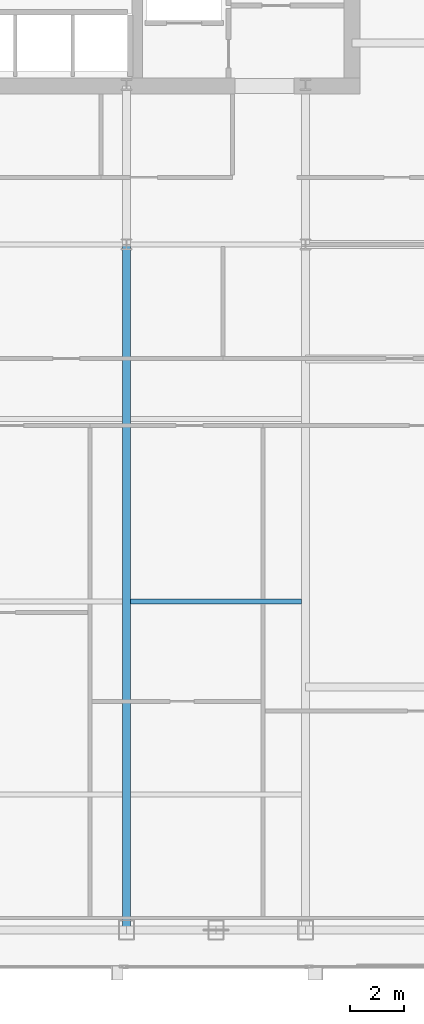
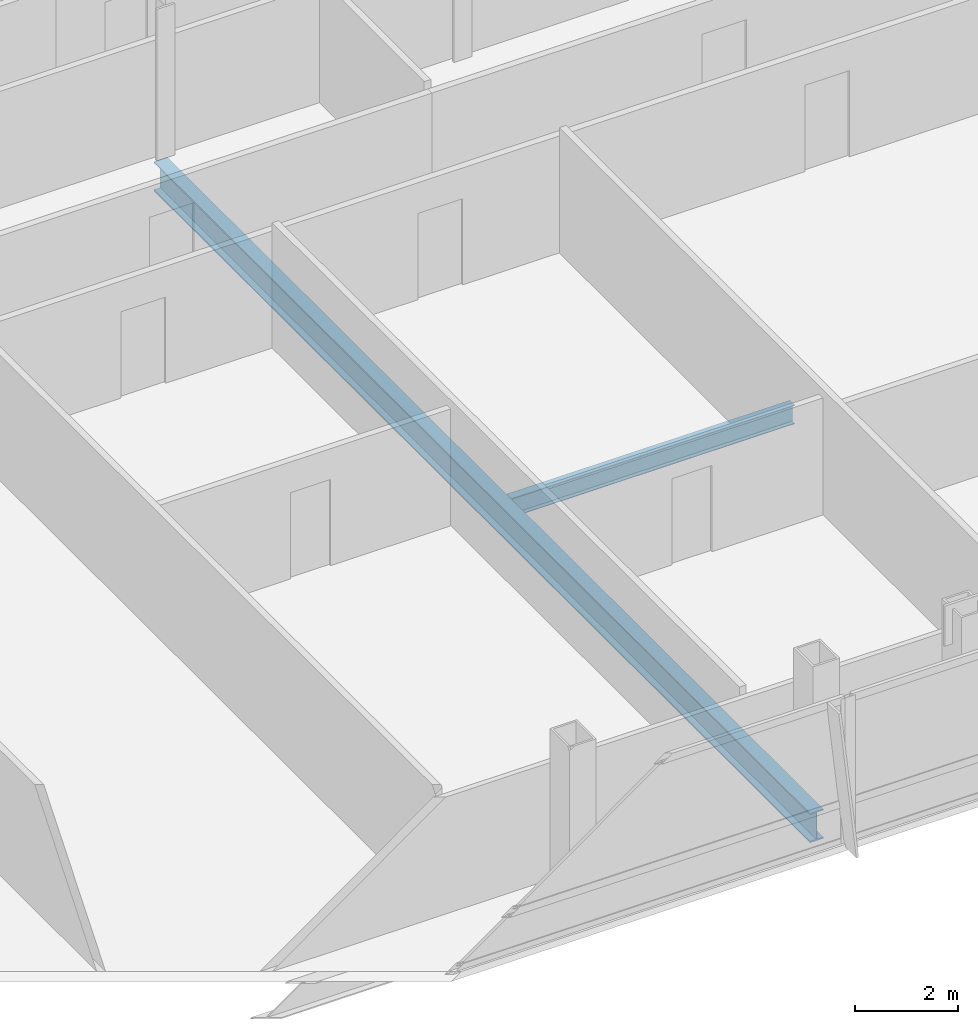
# One storey, part 13 of 30: 2 beams.
"""IFC4 building model written with IfcOpenShell, lengths in metres."""

from ifc_helpers import new_model, si_unit, direction, frame, origin, origin_2d, place, context, subcontext, project, spatial, i_section, extrude, material, material_profile, profile_set, type_object, element, save


model = new_model("IFC4")

# Units and contexts
model_context = context("Model", 3, precision=1e-05, world=origin(), true_north=direction((0.0, 1.0)))
body_context = subcontext(model_context, "Body", "Model", "MODEL_VIEW")
ifc_project = project(units=[si_unit("LENGTHUNIT", "METRE"), si_unit("AREAUNIT", "SQUARE_METRE"), si_unit("VOLUMEUNIT", "CUBIC_METRE"), si_unit("PLANEANGLEUNIT", "RADIAN"), si_unit("MASSUNIT", "GRAM", prefix="KILO")], contexts=[model_context])

# Site, building, storey
site_placement = place(None, origin())
site = spatial("IfcSite", under=ifc_project, at=site_placement, CompositionType="ELEMENT")
building_placement = place(site_placement, origin())
building = spatial("IfcBuilding", under=site, at=building_placement, Name="Khoronbel Lancet Exchange", CompositionType="ELEMENT")
storey_placement = place(building_placement, frame((0.0, 0.0, 217.39990234375)))
storey = spatial("IfcBuildingStorey", under=building, at=storey_placement, Name="L55", CompositionType="ELEMENT", Elevation=217.39990234375)

# Beams
ifc_material = material(Name="Steel S355", Category="steel")
ifc_material_profile_1 = material_profile(ifc_material, i_section(OverallWidth=0.300048828125, OverallDepth=0.699951171875, WebThickness=0.01708984375, FlangeThickness=0.031982421875, at=origin_2d()), Name="HEB 700")
ifc_profile_set_1 = profile_set([ifc_material_profile_1], Name="Steel S355")
beam_type_1 = type_object("IfcBeamType", Name="BM-BG3", PredefinedType="BEAM", material=ifc_profile_set_1)
beam_1_placement = place(storey_placement, frame((48.0, 10.14990234375, -0.510009765625), z_axis=(0.0, 1.0, 0.0), x_axis=(-1.0, 0.0, 0.0)))
element("IfcBeam", 1, at=beam_1_placement, inside=storey, type_object=beam_type_1, Name="Level L55 south primary girder GS5", PredefinedType="BEAM", context=body_context, shape_type="SweptSolid", body=[
    extrude(i_section(OverallWidth=0.300048828125, OverallDepth=0.699951171875, WebThickness=0.01708984375, FlangeThickness=0.031982421875, at=origin_2d()), origin(), (0.0, 0.0, 1.0), 25.550048828125),
])
ifc_material_profile_2 = material_profile(ifc_material, i_section(OverallWidth=0.18994140625, OverallDepth=0.449951171875, WebThickness=0.009521484375, FlangeThickness=0.0146484375, at=origin_2d()), Name="IPE 450")
ifc_profile_set_2 = profile_set([ifc_material_profile_2], Name="Steel S355")
beam_type_2 = type_object("IfcBeamType", Name="BM-BJ4", PredefinedType="JOIST", material=ifc_profile_set_2)
beam_2_placement = place(storey_placement, frame((48.14990234375, 22.39990234375, -0.385009765625), z_axis=(1.0, 0.0, 0.0), x_axis=(0.0, 1.0, 0.0)))
element("IfcBeam", 2, at=beam_2_placement, inside=storey, type_object=beam_type_2, Name="Level L55 secondary composite joist J10", PredefinedType="JOIST", context=body_context, shape_type="SweptSolid", body=[
    extrude(i_section(OverallWidth=0.18994140625, OverallDepth=0.449951171875, WebThickness=0.009521484375, FlangeThickness=0.0146484375, at=origin_2d()), origin(), (0.0, 0.0, 1.0), 6.375),
])

save(model, "model.ifc")
